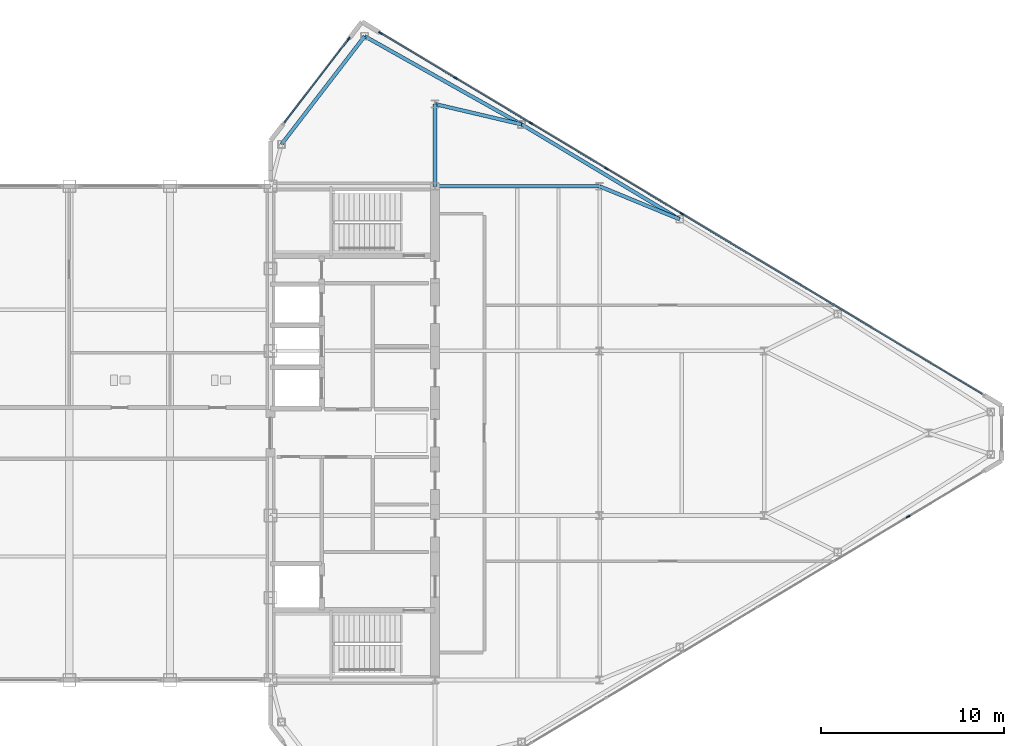
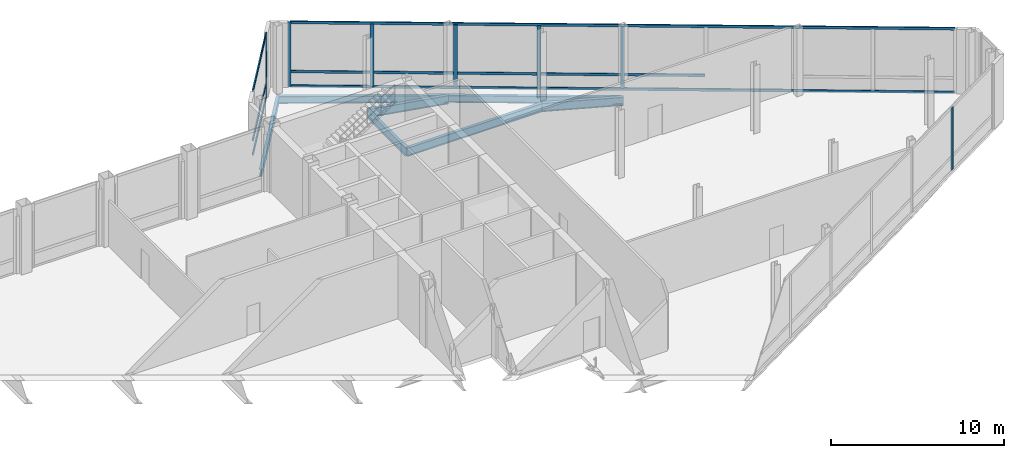
# One storey, part 17 of 29: 17 members, 7 beams, 3 elements without a shape of their own.
"""IFC4 building model written with IfcOpenShell, lengths in metres."""

from ifc_helpers import new_model, si_unit, direction, frame, origin, origin_2d, place, context, subcontext, project, spatial, rectangle, i_section, extrude, source, transform, mapped, material, layer, layer_set, material_profile, profile_set, type_object, type_shapes, element, aggregate, save


model = new_model("IFC4")

# Units and contexts
model_context = context("Model", 3, precision=1e-05, world=origin(), true_north=direction((0.0, 1.0)))
body_context = subcontext(model_context, "Body", "Model", "MODEL_VIEW")
ifc_project = project(units=[si_unit("LENGTHUNIT", "METRE"), si_unit("AREAUNIT", "SQUARE_METRE"), si_unit("VOLUMEUNIT", "CUBIC_METRE"), si_unit("PLANEANGLEUNIT", "RADIAN"), si_unit("MASSUNIT", "GRAM", prefix="KILO")], contexts=[model_context])

# Site, building, storey
site_placement = place(None, origin())
site = spatial("IfcSite", under=ifc_project, at=site_placement, CompositionType="ELEMENT")
building_placement = place(site_placement, origin())
building = spatial("IfcBuilding", under=site, at=building_placement, Name="Seokmaru Belvedere", CompositionType="ELEMENT")
storey_placement = place(building_placement, frame((0.0, 0.0, 269.39990234375)))
storey = spatial("IfcBuildingStorey", under=building, at=storey_placement, Name="L71", CompositionType="ELEMENT", Elevation=269.39990234375)

# Beams
ifc_material_1 = material(Name="Steel SM355 (355 MPa)", Category="steel")
ifc_material_profile_1 = material_profile(ifc_material_1, i_section(OverallWidth=0.199951171875, OverallDepth=0.60009765625, WebThickness=0.010986328125, FlangeThickness=0.01708984375, at=origin_2d()), Name="H-600x200x11x17")
ifc_profile_set_1 = profile_set([ifc_material_profile_1], Name="Steel SM355 (355 MPa)")
beam_type_1 = type_object("IfcBeamType", Name="Primary Floor Girder H-600", PredefinedType="BEAM", material=ifc_profile_set_1)
shared_shape_1 = source(origin(), body_context, "Body", "SweptSolid", [
    extrude(i_section(OverallWidth=0.199951171875, OverallDepth=0.60009765625, WebThickness=0.010986328125, FlangeThickness=0.01708984375, at=origin_2d()), origin(), (0.0, 0.0, 1.0), 9.0),
])
beam_1_placement = place(storey_placement, frame((36.5, 13.5, -0.559814453125), z_axis=(1.0, 0.0, 0.0), x_axis=(0.0, 1.0, 0.0)))
element("IfcBeam", 1, at=beam_1_placement, inside=storey, type_object=beam_type_1, Name="L71 E Wing Primary Girder 4", PredefinedType="BEAM", context=body_context, shape_type="MappedRepresentation", body=[
    mapped(shared_shape_1, transform((0.0, 0.0, 0.0), scale=1.0)),
])
shared_shape_2 = source(origin(), body_context, "Body", "SweptSolid", [
    extrude(i_section(OverallWidth=0.199951171875, OverallDepth=0.60009765625, WebThickness=0.010986328125, FlangeThickness=0.01708984375, at=origin_2d()), origin(), (0.0, 0.0, 1.0), 4.5),
])
beam_2_placement = place(storey_placement, frame((36.5, 13.5, -0.559814453125), z_axis=(0.0, 1.0, 0.0), x_axis=(-1.0, 0.0, 0.0)))
element("IfcBeam", 2, at=beam_2_placement, inside=storey, type_object=beam_type_1, Name="L71 E Core Shoulder Girder N", PredefinedType="BEAM", context=body_context, shape_type="MappedRepresentation", body=[
    mapped(shared_shape_2, transform((0.0, 0.0, 0.0), scale=1.0)),
])
ifc_material_profile_2 = material_profile(ifc_material_1, i_section(OverallWidth=0.199951171875, OverallDepth=0.5, WebThickness=0.010009765625, FlangeThickness=0.01611328125, at=origin_2d()), Name="H-500x200x10x16")
ifc_profile_set_2 = profile_set([ifc_material_profile_2], Name="Steel SM355 (355 MPa)")
beam_type_2 = type_object("IfcBeamType", Name="Perimeter Spandrel Beam H-500", PredefinedType="SPANDREL", material=ifc_profile_set_2)
shared_shape_3 = source(origin(), body_context, "Body", "SweptSolid", [
    extrude(i_section(OverallWidth=0.199951171875, OverallDepth=0.5, WebThickness=0.010009765625, FlangeThickness=0.01611328125, at=origin_2d()), origin(), (0.0, 0.0, 1.0), 9.842041015625),
])
beam_3_placement = place(storey_placement, frame((32.649658203125, 21.71044921875, -0.510009765625), z_axis=(0.871782151818, -0.489893743349, 0.0), x_axis=(0.489893743349, 0.871782151818, 0.0)))
element("IfcBeam", 3, at=beam_3_placement, inside=storey, type_object=beam_type_2, Name="L71 E Faceted Flank Spandrel N-1", PredefinedType="SPANDREL", context=body_context, shape_type="MappedRepresentation", body=[
    mapped(shared_shape_3, transform((0.0, 0.0, 0.0), scale=1.0)),
])
shared_shape_4 = source(origin(), body_context, "Body", "SweptSolid", [
    extrude(i_section(OverallWidth=0.199951171875, OverallDepth=0.5, WebThickness=0.010009765625, FlangeThickness=0.01611328125, at=origin_2d()), origin(), (0.0, 0.0, 1.0), 10.087646484375),
])
beam_4_placement = place(storey_placement, frame((41.229736328125, 16.888916015625, -0.510009765625), z_axis=(0.857499332045, -0.514485078056, 0.0), x_axis=(0.514485078056, 0.857499332045, 0.0)))
element("IfcBeam", 4, at=beam_4_placement, inside=storey, type_object=beam_type_2, Name="L71 E Faceted Flank Spandrel N-2", PredefinedType="SPANDREL", context=body_context, shape_type="MappedRepresentation", body=[
    mapped(shared_shape_4, transform((0.0, 0.0, 0.0), scale=1.0)),
])
shared_shape_5 = source(origin(), body_context, "Body", "SweptSolid", [
    extrude(i_section(OverallWidth=0.199951171875, OverallDepth=0.5, WebThickness=0.010009765625, FlangeThickness=0.01611328125, at=origin_2d()), origin(), (0.0, 0.0, 1.0), 7.4619140625),
])
type_shapes(beam_type_2, [shared_shape_3, shared_shape_4, shared_shape_5])
beam_5_placement = place(storey_placement, frame((32.649658203125, 21.71044921875, -0.510009765625), z_axis=(-0.609702854945, -0.792630070507, 0.0), x_axis=(0.792630070507, -0.609702854945, 0.0)))
element("IfcBeam", 5, at=beam_5_placement, inside=storey, type_object=beam_type_2, Name="L71 E Shoulder Chamfer Spandrel N", PredefinedType="SPANDREL", context=body_context, shape_type="MappedRepresentation", body=[
    mapped(shared_shape_5, transform((0.0, 0.0, 0.0), scale=1.0)),
])
shared_shape_6 = source(origin(), body_context, "Body", "SweptSolid", [
    extrude(i_section(OverallWidth=0.199951171875, OverallDepth=0.60009765625, WebThickness=0.010986328125, FlangeThickness=0.01708984375, at=origin_2d()), origin(), (0.0, 0.0, 1.0), 4.8583984375),
])
beam_6_placement = place(storey_placement, frame((41.229736328125, 16.888916015625, -0.559814453125), z_axis=(-0.97349948295, 0.228689214211, 0.0), x_axis=(-0.228689214211, -0.97349948295, 0.0)))
element("IfcBeam", 6, at=beam_6_placement, inside=storey, type_object=beam_type_1, Name="L71 E Flank Radial Floor Girder N-1", PredefinedType="BEAM", context=body_context, shape_type="MappedRepresentation", body=[
    mapped(shared_shape_6, transform((0.0, 0.0, 0.0), scale=1.0)),
])
shared_shape_7 = source(origin(), body_context, "Body", "SweptSolid", [
    extrude(i_section(OverallWidth=0.199951171875, OverallDepth=0.60009765625, WebThickness=0.010986328125, FlangeThickness=0.01708984375, at=origin_2d()), origin(), (0.0, 0.0, 1.0), 4.73583984375),
])
type_shapes(beam_type_1, [shared_shape_1, shared_shape_2, shared_shape_6, shared_shape_7])
beam_7_placement = place(storey_placement, frame((49.8798828125, 11.698974609375, -0.559814453125), z_axis=(-0.924860562953, 0.380306375301, 0.0), x_axis=(-0.380306375301, -0.924860562953, 0.0)))
element("IfcBeam", 7, at=beam_7_placement, inside=storey, type_object=beam_type_1, Name="L71 E Flank Radial Floor Girder N-2", PredefinedType="BEAM", context=body_context, shape_type="MappedRepresentation", body=[
    mapped(shared_shape_7, transform((0.0, 0.0, 0.0), scale=1.0)),
])

# Curtain wall, member
ifc_material_2 = material(Name="Bronze Triple Insulating Glass", Category="glass")
ifc_layer = layer(ifc_material_2, 0.219970703125)
ifc_layer_set = layer_set([ifc_layer], Name="Bronze Triple Insulating Glass")
curtain_wall_type = type_object("IfcCurtainWallType", Name="Sky-Gate Bridge Panorama Curtain Wall System CW-6", PredefinedType="NOTDEFINED", material=ifc_layer_set)
curtain_wall_1_placement = place(storey_placement, origin())
curtain_wall_1 = element("IfcCurtainWall", 8, at=curtain_wall_1_placement, inside=storey, type_object=curtain_wall_type, Name="L71 Curtain Wall EF3", PredefinedType="NOTDEFINED")
ifc_material_3 = material(Name="Anodised Bronze Aluminium", Category="aluminium")
ifc_material_profile_3 = material_profile(ifc_material_3, rectangle(XDim=0.080078125, YDim=0.219970703125, at=origin_2d()), Name="CW-M-80x220")
ifc_profile_set_3 = profile_set([ifc_material_profile_3], Name="Anodised Bronze Aluminium")
member_type_1 = type_object("IfcMemberType", Name="Bronze Unitised Mullion 80x220", PredefinedType="MULLION", material=ifc_profile_set_3)
shared_shape_8 = source(origin(), body_context, "Body", "SweptSolid", [
    extrude(rectangle(XDim=0.080078125, YDim=0.219970703125, at=origin_2d()), origin(), (0.0, 0.0, 1.0), 4.5400390625),
])
member_1_placement = place(storey_placement, frame((33.5205078125, 21.8876953125, 0.0), z_axis=(0.0, 0.0, 1.0), x_axis=(-0.514494909364, -0.85749343335, 0.0)))
member_1 = element("IfcMember", 9, at=member_1_placement, type_object=member_type_1, Name="CW:L71:EF3 Mullion 9", PredefinedType="MULLION", context=body_context, shape_type="MappedRepresentation", body=[
    mapped(shared_shape_8, transform((0.0, 0.0, 0.0), scale=1.0)),
])

# Curtain wall, members
curtain_wall_2_placement = place(storey_placement, origin())
curtain_wall_2 = element("IfcCurtainWall", 10, at=curtain_wall_2_placement, inside=storey, type_object=curtain_wall_type, Name="L71 Curtain Wall EF4", PredefinedType="NOTDEFINED")
member_2_placement = place(storey_placement, frame((31.7744140625, 21.556884765625, 0.0), z_axis=(0.0, 0.0, 1.0), x_axis=(0.792631353244, -0.609701187349, 0.0)))
member_2 = element("IfcMember", 11, at=member_2_placement, type_object=member_type_1, Name="CW:L71:EF4 Mullion 1", PredefinedType="MULLION", context=body_context, shape_type="MappedRepresentation", body=[
    mapped(shared_shape_8, transform((0.0, 0.0, 0.0), scale=1.0)),
])
ifc_material_profile_4 = material_profile(ifc_material_3, rectangle(XDim=0.074951171875, YDim=0.179931640625, at=origin_2d()), Name="CW-T-75x180")
ifc_profile_set_4 = profile_set([ifc_material_profile_4], Name="Anodised Bronze Aluminium")
member_type_2 = type_object("IfcMemberType", Name="Bronze Unitised Transom 75x180", PredefinedType="USERDEFINED", material=ifc_profile_set_4)
shared_shape_9 = source(origin(), body_context, "Body", "SweptSolid", [
    extrude(rectangle(XDim=0.074951171875, YDim=0.179931640625, at=origin_2d()), origin(), (0.0, 0.0, 1.0), 5.74072265625),
])
member_3_placement = place(storey_placement, frame((31.75, 21.525146484375, 0.03759765625), z_axis=(-0.609686097287, -0.792642960465, 0.0), x_axis=(0.792642960465, -0.609686097287, 0.0)))
member_3 = element("IfcMember", 12, at=member_3_placement, type_object=member_type_2, Name="CW:L71:EF4 Continuous Transom 1", ObjectType="TRANSOM", PredefinedType="USERDEFINED", context=body_context, shape_type="MappedRepresentation", body=[
    mapped(shared_shape_9, transform((0.0, 0.0, 0.0), scale=1.0)),
])
member_4_placement = place(storey_placement, frame((31.75, 21.525146484375, 4.502685546875), z_axis=(-0.609686097287, -0.792642960465, 0.0), x_axis=(0.792642960465, -0.609686097287, 0.0)))
member_4 = element("IfcMember", 13, at=member_4_placement, type_object=member_type_2, Name="CW:L71:EF4 Continuous Transom 2", ObjectType="TRANSOM", PredefinedType="USERDEFINED", context=body_context, shape_type="MappedRepresentation", body=[
    mapped(shared_shape_9, transform((0.0, 0.0, 0.0), scale=1.0)),
])
member_5_placement = place(storey_placement, frame((31.75, 21.525146484375, 1.050048828125), z_axis=(-0.609686097287, -0.792642960465, 0.0), x_axis=(0.792642960465, -0.609686097287, 0.0)))
member_5 = element("IfcMember", 14, at=member_5_placement, type_object=member_type_2, Name="CW:L71:EF4 Spandrel Transom 1", ObjectType="TRANSOM", PredefinedType="USERDEFINED", context=body_context, shape_type="MappedRepresentation", body=[
    mapped(shared_shape_9, transform((0.0, 0.0, 0.0), scale=1.0)),
])
aggregate(curtain_wall_2, [member_2, member_3, member_4, member_5])

# Curtain wall, member
curtain_wall_3_placement = place(storey_placement, origin())
curtain_wall_3 = element("IfcCurtainWall", 15, at=curtain_wall_3_placement, inside=storey, type_object=curtain_wall_type, Name="L71 Curtain Wall EF1", PredefinedType="NOTDEFINED")
shared_shape_10 = source(origin(), body_context, "Body", "SweptSolid", [
    extrude(rectangle(XDim=0.080078125, YDim=0.219970703125, at=origin_2d()), origin(), (0.0, 0.0, 1.0), 4.389892578125),
])
type_shapes(member_type_1, [shared_shape_8, shared_shape_10])
member_6_placement = place(storey_placement, frame((62.385498046875, -4.56884765625, 0.0751953125), z_axis=(0.0, 0.0, 1.0), x_axis=(-0.514494909364, 0.85749343335, 0.0)))
member_6 = element("IfcMember", 16, at=member_6_placement, type_object=member_type_1, Name="CW:L71:EF1 Mullion 8", PredefinedType="MULLION", context=body_context, shape_type="MappedRepresentation", body=[
    mapped(shared_shape_10, transform((0.0, 0.0, 0.0), scale=1.0)),
])
aggregate(curtain_wall_3, [member_6])

# Member
member_7_placement = place(storey_placement, frame((50.0, 12.0, 0.0751953125), z_axis=(0.0, 0.0, 1.0), x_axis=(-0.514494909364, -0.85749343335, 0.0)))
member_7 = element("IfcMember", 17, at=member_7_placement, type_object=member_type_1, Name="CW:L71:EF3 Mullion 5", PredefinedType="MULLION", context=body_context, shape_type="MappedRepresentation", body=[
    mapped(shared_shape_10, transform((0.0, 0.0, 0.0), scale=1.0)),
])

member_8_placement = place(storey_placement, frame((45.87158203125, 14.47705078125, 0.0751953125), z_axis=(0.0, 0.0, 1.0), x_axis=(-0.514494909364, -0.85749343335, 0.0)))
member_8 = element("IfcMember", 18, at=member_8_placement, type_object=member_type_1, Name="CW:L71:EF3 Mullion 6", PredefinedType="MULLION", context=body_context, shape_type="MappedRepresentation", body=[
    mapped(shared_shape_10, transform((0.0, 0.0, 0.0), scale=1.0)),
])

member_9_placement = place(storey_placement, frame((41.742919921875, 16.9541015625, 0.0751953125), z_axis=(0.0, 0.0, 1.0), x_axis=(-0.514494909364, -0.85749343335, 0.0)))
member_9 = element("IfcMember", 19, at=member_9_placement, type_object=member_type_1, Name="CW:L71:EF3 Mullion 7", PredefinedType="MULLION", context=body_context, shape_type="MappedRepresentation", body=[
    mapped(shared_shape_10, transform((0.0, 0.0, 0.0), scale=1.0)),
])

member_10_placement = place(storey_placement, frame((37.614501953125, 19.43115234375, 0.0751953125), z_axis=(0.0, 0.0, 1.0), x_axis=(-0.514494909364, -0.85749343335, 0.0)))
member_10 = element("IfcMember", 20, at=member_10_placement, type_object=member_type_1, Name="CW:L71:EF3 Mullion 8", PredefinedType="MULLION", context=body_context, shape_type="MappedRepresentation", body=[
    mapped(shared_shape_10, transform((0.0, 0.0, 0.0), scale=1.0)),
])

shared_shape_11 = source(origin(), body_context, "Body", "SweptSolid", [
    extrude(rectangle(XDim=0.074951171875, YDim=0.179931640625, at=origin_2d()), origin(), (0.0, 0.0, 1.0), 38.356689453125),
])
member_11_placement = place(storey_placement, frame((66.4453125, 2.1328125, 0.03759765625), z_axis=(-0.857492925713, 0.514495755428, 0.0), x_axis=(-0.514495755428, -0.857492925713, 0.0)))
member_11 = element("IfcMember", 21, at=member_11_placement, type_object=member_type_2, Name="CW:L71:EF3 Continuous Transom 1", ObjectType="TRANSOM", PredefinedType="USERDEFINED", context=body_context, shape_type="MappedRepresentation", body=[
    mapped(shared_shape_11, transform((0.0, 0.0, 0.0), scale=1.0)),
])

member_12_placement = place(storey_placement, frame((66.4453125, 2.1328125, 4.502685546875), z_axis=(-0.857492925713, 0.514495755428, 0.0), x_axis=(-0.514495755428, -0.857492925713, 0.0)))
member_12 = element("IfcMember", 22, at=member_12_placement, type_object=member_type_2, Name="CW:L71:EF3 Continuous Transom 2", ObjectType="TRANSOM", PredefinedType="USERDEFINED", context=body_context, shape_type="MappedRepresentation", body=[
    mapped(shared_shape_11, transform((0.0, 0.0, 0.0), scale=1.0)),
])

shared_shape_12 = source(origin(), body_context, "Body", "SweptSolid", [
    extrude(rectangle(XDim=0.074951171875, YDim=0.179931640625, at=origin_2d()), origin(), (0.0, 0.0, 1.0), 4.694580078125),
])
member_13_placement = place(storey_placement, frame((37.580322265625, 19.451904296875, 1.050048828125), z_axis=(-0.85750210284, 0.514480459906, 0.0), x_axis=(-0.514480459906, -0.85750210284, 0.0)))
member_13 = element("IfcMember", 23, at=member_13_placement, type_object=member_type_2, Name="CW:L71:EF3 Spandrel Transom 8", ObjectType="TRANSOM", PredefinedType="USERDEFINED", context=body_context, shape_type="MappedRepresentation", body=[
    mapped(shared_shape_12, transform((0.0, 0.0, 0.0), scale=1.0)),
])

shared_shape_13 = source(origin(), body_context, "Body", "SweptSolid", [
    extrude(rectangle(XDim=0.074951171875, YDim=0.179931640625, at=origin_2d()), origin(), (0.0, 0.0, 1.0), 4.734619140625),
])
member_14_placement = place(storey_placement, frame((41.708740234375, 16.974609375, 1.050048828125), z_axis=(-0.857479275774, 0.514518504641, 0.0), x_axis=(-0.514518504641, -0.857479275774, 0.0)))
member_14 = element("IfcMember", 24, at=member_14_placement, type_object=member_type_2, Name="CW:L71:EF3 Spandrel Transom 7", ObjectType="TRANSOM", PredefinedType="USERDEFINED", context=body_context, shape_type="MappedRepresentation", body=[
    mapped(shared_shape_13, transform((0.0, 0.0, 0.0), scale=1.0)),
])

shared_shape_14 = source(origin(), body_context, "Body", "SweptSolid", [
    extrude(rectangle(XDim=0.074951171875, YDim=0.179931640625, at=origin_2d()), origin(), (0.0, 0.0, 1.0), 4.734375),
])
member_15_placement = place(storey_placement, frame((45.837158203125, 14.497802734375, 1.050048828125), z_axis=(-0.857502025578, 0.514480588682, 0.0), x_axis=(-0.514480588682, -0.857502025578, 0.0)))
member_15 = element("IfcMember", 25, at=member_15_placement, type_object=member_type_2, Name="CW:L71:EF3 Spandrel Transom 6", ObjectType="TRANSOM", PredefinedType="USERDEFINED", context=body_context, shape_type="MappedRepresentation", body=[
    mapped(shared_shape_14, transform((0.0, 0.0, 0.0), scale=1.0)),
])

shared_shape_15 = source(origin(), body_context, "Body", "SweptSolid", [
    extrude(rectangle(XDim=0.074951171875, YDim=0.179931640625, at=origin_2d()), origin(), (0.0, 0.0, 1.0), 4.73486328125),
])
type_shapes(member_type_2, [shared_shape_9, shared_shape_11, shared_shape_12, shared_shape_13, shared_shape_14, shared_shape_15])
member_16_placement = place(storey_placement, frame((54.09423828125, 9.54345703125, 1.050048828125), z_axis=(-0.857492925713, 0.514495755428, 0.0), x_axis=(-0.514495755428, -0.857492925713, 0.0)))
member_16 = element("IfcMember", 26, at=member_16_placement, type_object=member_type_2, Name="CW:L71:EF3 Spandrel Transom 4", ObjectType="TRANSOM", PredefinedType="USERDEFINED", context=body_context, shape_type="MappedRepresentation", body=[
    mapped(shared_shape_15, transform((0.0, 0.0, 0.0), scale=1.0)),
])

member_17_placement = place(storey_placement, frame((49.9658203125, 12.0205078125, 1.050048828125), z_axis=(-0.857492925713, 0.514495755428, 0.0), x_axis=(-0.514495755428, -0.857492925713, 0.0)))
member_17 = element("IfcMember", 27, at=member_17_placement, type_object=member_type_2, Name="CW:L71:EF3 Spandrel Transom 5", ObjectType="TRANSOM", PredefinedType="USERDEFINED", context=body_context, shape_type="MappedRepresentation", body=[
    mapped(shared_shape_15, transform((0.0, 0.0, 0.0), scale=1.0)),
])

aggregate(curtain_wall_1, [member_7, member_8, member_9, member_10, member_1, member_11, member_12, member_16, member_17, member_15, member_14, member_13])

save(model, "model.ifc")
